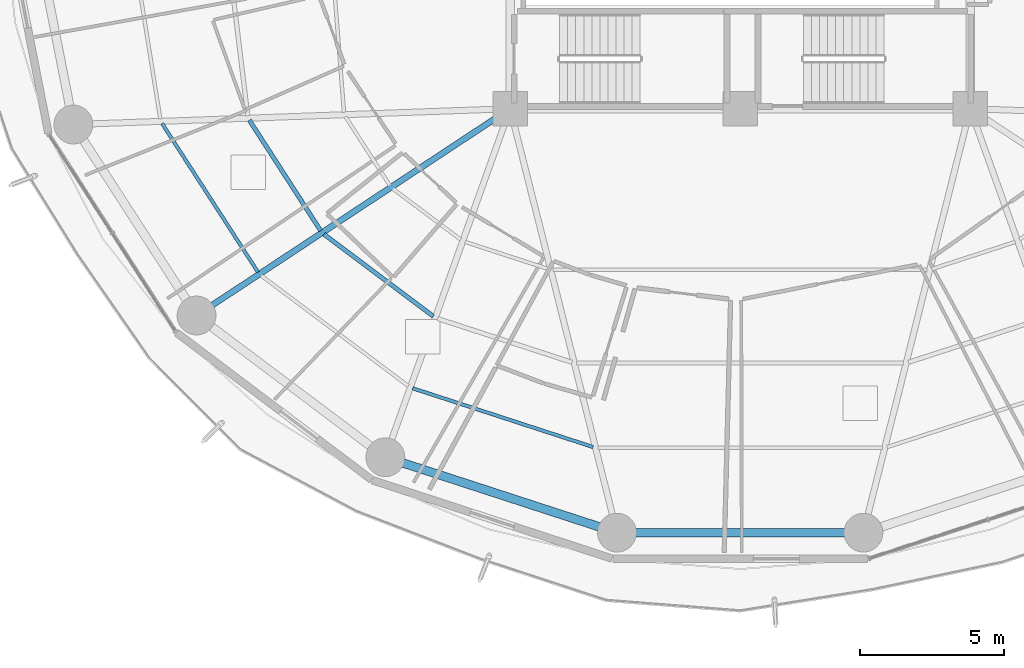
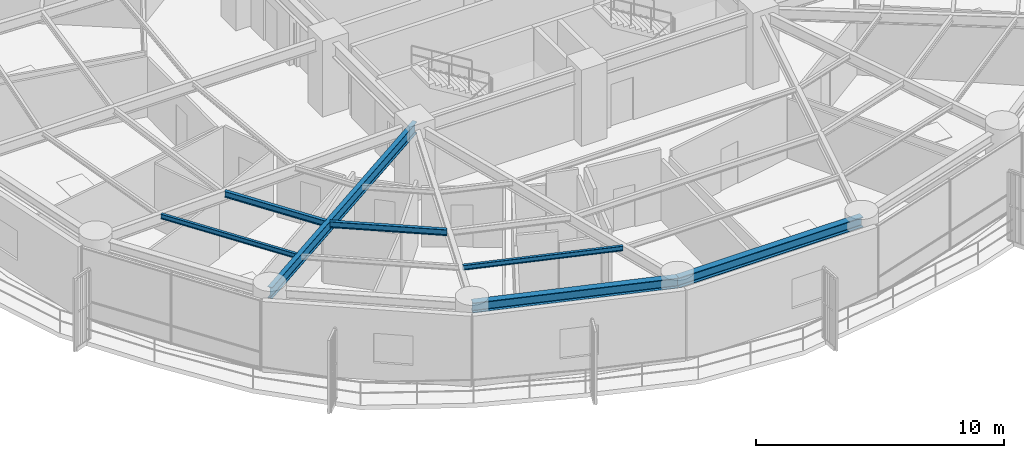
# One storey, part 3 of 35: 7 beams.
"""IFC4 building model written with IfcOpenShell, lengths in metres."""

from ifc_helpers import new_model, si_unit, direction, frame, origin, origin_2d, place, context, subcontext, project, spatial, i_section, extrude, material, material_profile, profile_set, type_object, element, save


model = new_model("IFC4")

# Units and contexts
model_context = context("Model", 3, precision=1e-05, world=origin(), true_north=direction((0.0, 1.0)))
body_context = subcontext(model_context, "Body", "Model", "MODEL_VIEW")
ifc_project = project(units=[si_unit("LENGTHUNIT", "METRE"), si_unit("AREAUNIT", "SQUARE_METRE"), si_unit("VOLUMEUNIT", "CUBIC_METRE"), si_unit("PLANEANGLEUNIT", "RADIAN"), si_unit("MASSUNIT", "GRAM", prefix="KILO")], contexts=[model_context])

# Site, building, storey
site_placement = place(None, origin())
site = spatial("IfcSite", under=ifc_project, at=site_placement, CompositionType="ELEMENT")
building_placement = place(site_placement, origin())
building = spatial("IfcBuilding", under=site, at=building_placement, Name="Kelanora Arch Commons", CompositionType="ELEMENT")
storey_placement = place(building_placement, frame((0.0, 0.0, 117.60009765625)))
storey = spatial("IfcBuildingStorey", under=building, at=storey_placement, Name="L30", CompositionType="ELEMENT", Elevation=117.60009765625)

# Beams
ifc_material = material(Name="Steel S355", Category="steel")
ifc_material_profile_1 = material_profile(ifc_material, i_section(OverallWidth=0.14990234375, OverallDepth=0.300048828125, WebThickness=0.007080078125, FlangeThickness=0.0107421875, FilletRadius=0.014892578125, at=origin_2d()), Name="IPE300")
ifc_profile_set_1 = profile_set([ifc_material_profile_1], Name="Steel S355")
beam_type_1 = type_object("IfcBeamType", Name="BM-JST-01", PredefinedType="JOIST", material=ifc_profile_set_1)
beam_1_placement = place(storey_placement, frame((56.93115234375, 50.597412109375, 3.33984375), z_axis=(0.542230243286, -0.840229946661, 0.0), x_axis=(0.840229946661, 0.542230243286, 0.0)))
element("IfcBeam", 1, at=beam_1_placement, inside=storey, type_object=beam_type_1, Name="Secondary Chord Joist BJB-20 L30", PredefinedType="JOIST", context=body_context, shape_type="SweptSolid", body=[
    extrude(i_section(OverallWidth=0.14990234375, OverallDepth=0.300048828125, WebThickness=0.007080078125, FlangeThickness=0.0107421875, FilletRadius=0.014892578125, at=origin_2d()), origin(), (0.0, 0.0, 1.0), 4.572265625),
])
beam_2_placement = place(storey_placement, frame((59.5244140625, 46.63330078125, 3.33984375), z_axis=(0.79971039107, -0.600385951214, 0.0), x_axis=(0.600385951214, 0.79971039107, 0.0)))
element("IfcBeam", 2, at=beam_2_placement, inside=storey, type_object=beam_type_1, Name="Secondary Chord Joist BJB-22 L30", PredefinedType="JOIST", context=body_context, shape_type="SweptSolid", body=[
    extrude(i_section(OverallWidth=0.14990234375, OverallDepth=0.300048828125, WebThickness=0.007080078125, FlangeThickness=0.0107421875, FilletRadius=0.014892578125, at=origin_2d()), origin(), (0.0, 0.0, 1.0), 4.756103515625),
])
ifc_material_profile_2 = material_profile(ifc_material, i_section(OverallWidth=0.1201171875, OverallDepth=0.239990234375, WebThickness=0.006103515625, FlangeThickness=0.009765625, FilletRadius=0.014892578125, at=origin_2d()), Name="IPE240")
ifc_profile_set_2 = profile_set([ifc_material_profile_2], Name="Steel S355")
beam_type_2 = type_object("IfcBeamType", Name="BM-JST-02", PredefinedType="JOIST", material=ifc_profile_set_2)
beam_3_placement = place(storey_placement, frame((53.892822265625, 50.487060546875, 3.369873046875), z_axis=(0.542212726273, -0.840241250754, 0.0), x_axis=(0.840241250754, 0.542212726273, 0.0)))
element("IfcBeam", 3, at=beam_3_placement, inside=storey, type_object=beam_type_2, Name="Secondary Chord Joist BJC-20 L30", PredefinedType="JOIST", context=body_context, shape_type="SweptSolid", body=[
    extrude(i_section(OverallWidth=0.1201171875, OverallDepth=0.239990234375, WebThickness=0.006103515625, FlangeThickness=0.009765625, FilletRadius=0.014892578125, at=origin_2d()), origin(), (0.0, 0.0, 1.0), 6.15283203125),
])
beam_4_placement = place(storey_placement, frame((62.60888671875, 41.276123046875, 3.369873046875), z_axis=(0.950862829272, -0.309612467301, 0.0), x_axis=(0.309612467301, 0.950862829272, 0.0)))
element("IfcBeam", 4, at=beam_4_placement, inside=storey, type_object=beam_type_2, Name="Secondary Chord Joist BJC-24 L30", PredefinedType="JOIST", context=body_context, shape_type="SweptSolid", body=[
    extrude(i_section(OverallWidth=0.1201171875, OverallDepth=0.239990234375, WebThickness=0.006103515625, FlangeThickness=0.009765625, FilletRadius=0.014892578125, at=origin_2d()), origin(), (0.0, 0.0, 1.0), 6.6064453125),
])
ifc_material_profile_3 = material_profile(ifc_material, i_section(OverallWidth=0.2099609375, OverallDepth=0.550048828125, WebThickness=0.010986328125, FlangeThickness=0.01708984375, FilletRadius=0.02392578125, at=origin_2d()), Name="IPE550")
ifc_profile_set_3 = profile_set([ifc_material_profile_3], Name="Steel S355")
beam_type_3 = type_object("IfcBeamType", Name="BM-RAD-Z2", PredefinedType="BEAM", material=ifc_profile_set_3)
beam_5_placement = place(storey_placement, frame((66.0, 51.0, 3.21484375), z_axis=(-0.834788577908, -0.550570640512, 0.0), x_axis=(0.550570640512, -0.834788577908, 0.0)))
element("IfcBeam", 5, at=beam_5_placement, inside=storey, type_object=beam_type_3, Name="Radial Floor Girder BR-22 L30", PredefinedType="BEAM", context=body_context, shape_type="SweptSolid", body=[
    extrude(i_section(OverallWidth=0.2099609375, OverallDepth=0.550048828125, WebThickness=0.010986328125, FlangeThickness=0.01708984375, FilletRadius=0.02392578125, at=origin_2d()), origin(), (0.0, 0.0, 1.0), 13.064453125),
])
ifc_material_profile_4 = material_profile(ifc_material, i_section(OverallWidth=0.300048828125, OverallDepth=0.5, WebThickness=0.014404296875, FlangeThickness=0.028076171875, FilletRadius=0.027099609375, at=origin_2d()), Name="HEB500")
ifc_profile_set_4 = profile_set([ifc_material_profile_4], Name="Steel S355")
beam_type_4 = type_object("IfcBeamType", Name="BM-SPN-Z2", PredefinedType="SPANDREL", material=ifc_profile_set_4)
beam_6_placement = place(storey_placement, frame((61.659912109375, 38.878173828125, 3.239990234375), z_axis=(0.950856631974, -0.309631499418, 0.0), x_axis=(0.309631499418, 0.950856631974, 0.0)))
element("IfcBeam", 6, at=beam_6_placement, inside=storey, type_object=beam_type_4, Name="Perimeter Spandrel Beam BS-24 L30", PredefinedType="SPANDREL", context=body_context, shape_type="SweptSolid", body=[
    extrude(i_section(OverallWidth=0.300048828125, OverallDepth=0.5, WebThickness=0.014404296875, FlangeThickness=0.028076171875, FilletRadius=0.027099609375, at=origin_2d()), origin(), (0.0, 0.0, 1.0), 8.470703125),
])
beam_7_placement = place(storey_placement, frame((69.71435546875, 36.25537109375, 3.239990234375), z_axis=(1.0, 0.0, 0.0), x_axis=(0.0, 1.0, 0.0)))
element("IfcBeam", 7, at=beam_7_placement, inside=storey, type_object=beam_type_4, Name="Perimeter Spandrel Beam BS-26 L30", PredefinedType="SPANDREL", context=body_context, shape_type="SweptSolid", body=[
    extrude(i_section(OverallWidth=0.300048828125, OverallDepth=0.5, WebThickness=0.014404296875, FlangeThickness=0.028076171875, FilletRadius=0.027099609375, at=origin_2d()), origin(), (0.0, 0.0, 1.0), 8.5712890625),
])

save(model, "model.ifc")
